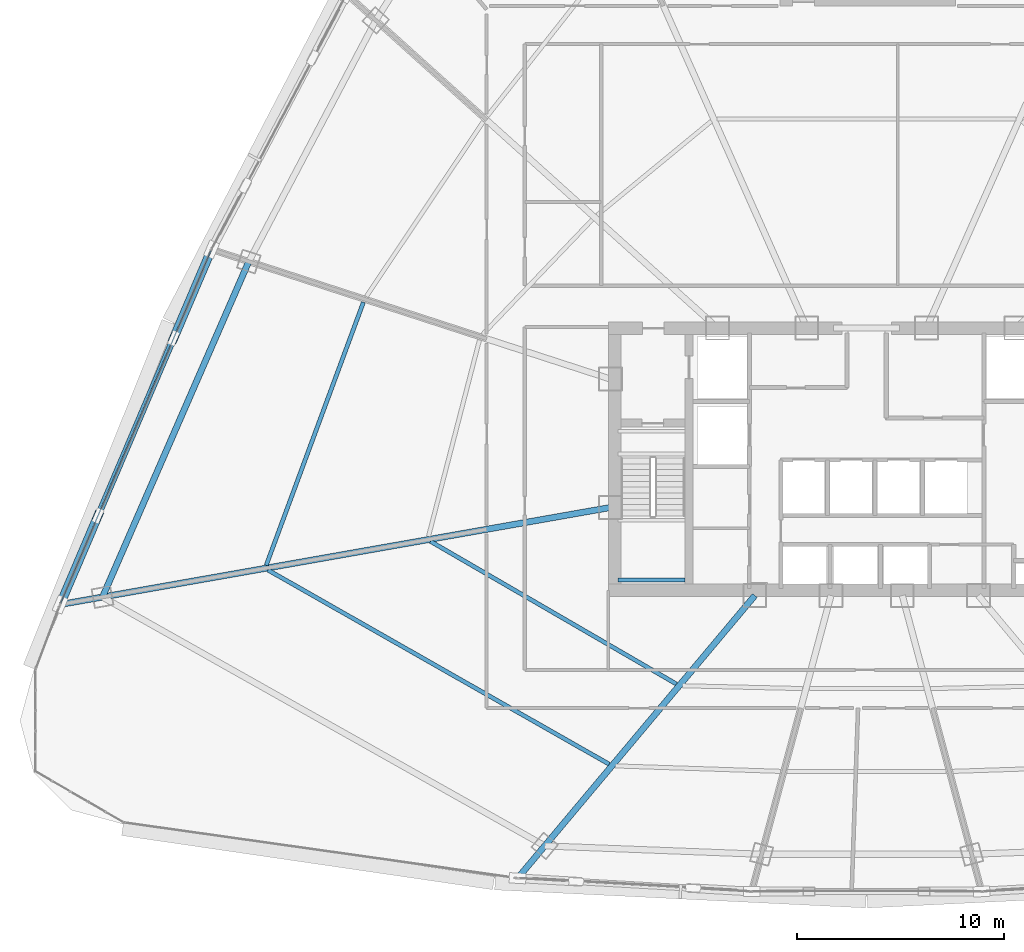
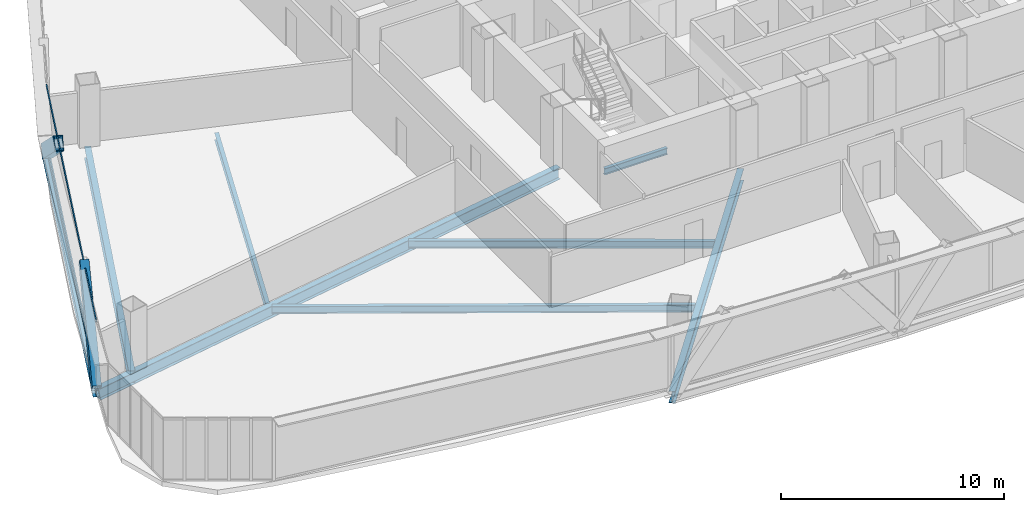
# One storey, part 7 of 42: 8 beams, 4 members, 1 element without a shape of its own.
"""IFC4 building model written with IfcOpenShell, lengths in metres."""

import ifcopenshell
import ifcopenshell.guid

model = None  # the IFC model being written
_history = None  # IfcOwnerHistory: only IFC2X3 demands one
_inside = {}  # id of a spatial element -> (the spatial element, [elements in it])
_under = {}  # id of a project, library or spatial element -> (it, [spatial elements below it])
_declared = {}  # id of a project -> (the project, [libraries it declares])
_typed = {}  # id of a type object -> (the type object, [elements of that type])
_made_of = {}  # id of a material, layer set ... -> (it, [elements and type objects made of it])


def new_model(schema):
    """Start an empty IFC model of exactly this schema.

    Asked for "IFC4X3", IfcOpenShell would pick the latest addendum, in which some entities
    have other attributes; the version numbers below select the first issue.
    IFC2X3 requires an IfcOwnerHistory on every rooted entity: one is made here for all.
    """
    global model, _history
    if schema == "IFC4X3":
        model = ifcopenshell.file(schema_version=(4, 3, 0, 0))
    else:
        model = ifcopenshell.file(schema=schema)
    _inside.clear()
    _under.clear()
    _declared.clear()
    _typed.clear()
    _made_of.clear()
    _history = None
    if model.schema == "IFC2X3":
        org = make("IfcOrganization", Name="unknown")
        user = make(
            "IfcPersonAndOrganization",
            ThePerson=make("IfcPerson", FamilyName="unknown"),
            TheOrganization=org,
        )
        app = make(
            "IfcApplication",
            ApplicationDeveloper=org,
            Version="unknown",
            ApplicationFullName="unknown",
            ApplicationIdentifier="unknown",
        )
        _history = make(
            "IfcOwnerHistory",
            OwningUser=user,
            OwningApplication=app,
            ChangeAction="ADDED",
            CreationDate=0,
        )
    return model


def make(cls, **values):
    """One entity of the class cls with the attributes given. An attribute that is None is left unset."""
    return model.create_entity(
        cls, **{name: value for name, value in values.items() if value is not None}
    )


def rooted(cls, **values):
    """An entity with a GlobalId (a new one), such as an element, a storey or a relation."""
    return make(cls, GlobalId=ifcopenshell.guid.new(), OwnerHistory=_history, **values)


def si_unit(unit_type, name, prefix=None):
    """IfcSIUnit, for example si_unit("LENGTHUNIT", "METRE", prefix="MILLI")."""
    return make("IfcSIUnit", UnitType=unit_type, Prefix=prefix, Name=name)


def assignment(units):
    """IfcUnitAssignment: the units of a project."""
    return None if units is None else make("IfcUnitAssignment", Units=units)


def point(xyz):
    """IfcCartesianPoint."""
    return None if xyz is None else make("IfcCartesianPoint", Coordinates=xyz)


def direction(xyz):
    """IfcDirection."""
    return None if xyz is None else make("IfcDirection", DirectionRatios=xyz)


def frame(location, z_axis=None, x_axis=None):
    """IfcAxis2Placement3D, a coordinate frame: its origin and axes. An axis left out is left unset."""
    return make(
        "IfcAxis2Placement3D",
        Location=point(location),
        Axis=direction(z_axis),
        RefDirection=direction(x_axis),
    )


def frame_2d(location, x_axis=None):
    """IfcAxis2Placement2D, a coordinate frame in the plane: its origin and x axis."""
    return make(
        "IfcAxis2Placement2D", Location=point(location), RefDirection=direction(x_axis)
    )


def origin():
    """The frame at (0, 0, 0) with its axes left unset."""
    return frame((0.0, 0.0, 0.0))


def origin_2d():
    """The frame at (0, 0) in the plane with its x axis left unset."""
    return frame_2d((0.0, 0.0))


def place(relative_to, where):
    """IfcLocalPlacement: puts the frame where relative to a parent placement (None: the world)."""
    return make(
        "IfcLocalPlacement", PlacementRelTo=relative_to, RelativePlacement=where
    )


def context(
    kind, dimensions, precision=None, world=None, true_north=None, identifier=None
):
    """IfcGeometricRepresentationContext, for example the 3D "Model" context."""
    return make(
        "IfcGeometricRepresentationContext",
        ContextIdentifier=identifier,
        ContextType=kind,
        CoordinateSpaceDimension=dimensions,
        Precision=precision,
        WorldCoordinateSystem=world,
        TrueNorth=true_north,
    )


def subcontext(parent, identifier, kind, view, scale=None):
    """IfcGeometricRepresentationSubContext, for example "Body" below "Model"."""
    return make(
        "IfcGeometricRepresentationSubContext",
        ContextIdentifier=identifier,
        ContextType=kind,
        ParentContext=parent,
        TargetScale=scale,
        TargetView=view,
    )


def project(units=None, contexts=None):
    """IfcProject with its units and contexts."""
    return rooted(
        "IfcProject",
        Name="project",
        RepresentationContexts=contexts,
        UnitsInContext=assignment(units),
    )


def spatial(cls, under=None, at=None, **own):
    """A site, building, storey or space (cls), placed at a placement, below another one or the project."""
    s = rooted(cls, ObjectPlacement=at, **own)
    if under is not None:
        _under.setdefault(under.id(), (under, []))[1].append(s)
    return s


def profile(cls, at=None, kind="AREA", **sizes):
    """A parametric profile (cls). Its sizes go by their IFC names, for example OverallWidth=200.0."""
    return make(cls, ProfileType=kind, Position=at, **sizes)


def hollow_rectangle(**sizes):
    """IfcRectangleHollowProfileDef."""
    return profile("IfcRectangleHollowProfileDef", **sizes)


def i_section(**sizes):
    """IfcIShapeProfileDef."""
    return profile("IfcIShapeProfileDef", **sizes)


def extrude(swept, where, along, depth):
    """IfcExtrudedAreaSolid: the profile swept, set in the frame where, extruded along a direction by depth."""
    return make(
        "IfcExtrudedAreaSolid",
        SweptArea=swept,
        Position=where,
        ExtrudedDirection=direction(along),
        Depth=depth,
    )


def shape(context_of_items, identifier, shape_type, items):
    """IfcShapeRepresentation: the items that make up one representation, for example the "Body"."""
    return make(
        "IfcShapeRepresentation",
        ContextOfItems=context_of_items,
        RepresentationIdentifier=identifier,
        RepresentationType=shape_type,
        Items=items,
    )


def source(mapping_origin, context_of_items, identifier, shape_type, items):
    """IfcRepresentationMap: a shape defined once, which mapped items show again and again."""
    return make(
        "IfcRepresentationMap",
        MappingOrigin=mapping_origin,
        MappedRepresentation=shape(context_of_items, identifier, shape_type, items),
    )


def transform(
    local_origin,
    x_axis=None,
    y_axis=None,
    z_axis=None,
    scale=None,
    scale2=None,
    scale3=None,
    uniform=True,
):
    """IfcCartesianTransformationOperator3D, or its non-uniform kind. x_axis, y_axis, z_axis: its Axis1, 2, 3."""
    if uniform:
        return make(
            "IfcCartesianTransformationOperator3D",
            Axis1=direction(x_axis),
            Axis2=direction(y_axis),
            LocalOrigin=point(local_origin),
            Scale=scale,
            Axis3=direction(z_axis),
        )
    return make(
        "IfcCartesianTransformationOperator3DnonUniform",
        Axis1=direction(x_axis),
        Axis2=direction(y_axis),
        LocalOrigin=point(local_origin),
        Scale=scale,
        Axis3=direction(z_axis),
        Scale2=scale2,
        Scale3=scale3,
    )


def mapped(mapping_source, mapping_target):
    """IfcMappedItem: shows the shape of a source again, moved by a transform."""
    return make(
        "IfcMappedItem", MappingSource=mapping_source, MappingTarget=mapping_target
    )


def material(Name=None, Category=None):
    """IfcMaterial."""
    return make("IfcMaterial", Name=Name, Category=Category)


def layer(
    of_material, thickness, ventilated=None, Name=None, Category=None, Priority=None
):
    """IfcMaterialLayer: one layer of a wall or slab, of a material (None: an air gap)."""
    return make(
        "IfcMaterialLayer",
        Material=of_material,
        LayerThickness=thickness,
        IsVentilated=ventilated,
        Name=Name,
        Category=Category,
        Priority=Priority,
    )


def layer_set(layers, Name=None):
    """IfcMaterialLayerSet."""
    return make("IfcMaterialLayerSet", MaterialLayers=layers, LayerSetName=Name)


def material_profile(
    of_material, cross_section, Name=None, Category=None, Priority=None
):
    """IfcMaterialProfile: a cross section and its material."""
    return make(
        "IfcMaterialProfile",
        Name=Name,
        Material=of_material,
        Profile=cross_section,
        Priority=Priority,
        Category=Category,
    )


def profile_set(profiles, Name=None, composite=None):
    """IfcMaterialProfileSet."""
    return make(
        "IfcMaterialProfileSet",
        Name=Name,
        MaterialProfiles=profiles,
        CompositeProfile=composite,
    )


def made_of(thing, what):
    """Note that an element or type object is made of a material, layer set ...; save() writes the relation."""
    if what is not None:
        _made_of.setdefault(what.id(), (what, []))[1].append(thing)
    return thing


def type_object(cls, material=None, **own):
    """A type object (cls), such as IfcWallType, which elements share."""
    return made_of(rooted(cls, **own), material)


def element(
    cls,
    number,
    at=None,
    inside=None,
    cuts=None,
    type_object=None,
    material=None,
    context=None,
    identifier="Body",
    shape_type=None,
    held_by="IfcProductDefinitionShape",
    body=None,
    shapes=None,
    **own,
):
    """One element of the class cls, such as IfcWall. Its Tag is "e" and its number.

    at: its placement. inside: the storey or other place that contains it. cuts: it is an
    opening in that element (IfcRelVoidsElement). A single representation is given by context,
    identifier, shape_type and body (its items); several are given by shapes. held_by: the class
    of the entity that holds the representations. save() writes the other relations.
    """
    e = rooted(cls, Tag="e%d" % number, ObjectPlacement=at, **own)
    if body is not None:
        shapes = [shape(context, identifier, shape_type, body)]
    if shapes is not None:
        e.Representation = make(held_by, Representations=shapes)
    if inside is not None:
        _inside.setdefault(inside.id(), (inside, []))[1].append(e)
    if cuts is not None:
        rooted(
            "IfcRelVoidsElement", RelatingBuildingElement=cuts, RelatedOpeningElement=e
        )
    if type_object is not None:
        _typed.setdefault(type_object.id(), (type_object, []))[1].append(e)
    return made_of(e, material)


def aggregate(whole, parts):
    """IfcRelAggregates: a whole, such as a stair, and the parts it consists of."""
    return rooted("IfcRelAggregates", RelatingObject=whole, RelatedObjects=parts)


def save(model, path):
    """Write the relations noted so far, then the file.

    IfcRelAggregates (storeys below a building ...), IfcRelContainedInSpatialStructure (elements
    in a storey), IfcRelDefinesByType, IfcRelAssociatesMaterial and IfcRelDeclares: one each for
    every whole, place, type object, material and project.
    """
    for whole, parts in _under.values():
        aggregate(whole, parts)
    for where, things in _inside.values():
        rooted(
            "IfcRelContainedInSpatialStructure",
            RelatedElements=things,
            RelatingStructure=where,
        )
    for kind, things in _typed.values():
        rooted("IfcRelDefinesByType", RelatedObjects=things, RelatingType=kind)
    for what, things in _made_of.values():
        rooted("IfcRelAssociatesMaterial", RelatedObjects=things, RelatingMaterial=what)
    for by, libraries in _declared.values():
        rooted("IfcRelDeclares", RelatingContext=by, RelatedDefinitions=libraries)
    model.write(path)


model = new_model("IFC4")

# Units and contexts
model_context = context("Model", 3, precision=1e-05, world=origin(), true_north=direction((0.0, 1.0)))
body_context = subcontext(model_context, "Body", "Model", "MODEL_VIEW")
ifc_project = project(units=[si_unit("LENGTHUNIT", "METRE"), si_unit("AREAUNIT", "SQUARE_METRE"), si_unit("VOLUMEUNIT", "CUBIC_METRE"), si_unit("PLANEANGLEUNIT", "RADIAN"), si_unit("MASSUNIT", "GRAM", prefix="KILO"), si_unit("THERMODYNAMICTEMPERATUREUNIT", "KELVIN"), si_unit("POWERUNIT", "WATT")], contexts=[model_context])

# Site, building, storey
site_placement = place(None, origin())
site = spatial("IfcSite", under=ifc_project, at=site_placement, CompositionType="ELEMENT")
building_placement = place(site_placement, origin())
building = spatial("IfcBuilding", under=site, at=building_placement, Name="Yunzhuo Pagoda Commons", CompositionType="ELEMENT")
storey_placement = place(building_placement, frame((0.0, 0.0, 129.830078125)))
storey = spatial("IfcBuildingStorey", under=building, at=storey_placement, Name="L32", CompositionType="ELEMENT", Elevation=129.830078125)

# Beams
ifc_material_1 = material(Name="Structural steel Q355B", Category="steel")
ifc_material_profile_1 = material_profile(ifc_material_1, i_section(OverallWidth=0.175048828125, OverallDepth=0.35009765625, WebThickness=0.007080078125, FlangeThickness=0.010986328125, at=origin_2d()), Name="Structural steel Q355B")
ifc_profile_set_1 = profile_set([ifc_material_profile_1], Name="Structural steel Q355B")
beam_type_1 = type_object("IfcBeamType", Name="B-JS2 Joist HN 350x175x7x11", PredefinedType="JOIST", material=ifc_profile_set_1)
shared_shape_1 = source(origin(), body_context, "Body", "SweptSolid", [
    extrude(i_section(OverallWidth=0.175048828125, OverallDepth=0.35009765625, WebThickness=0.007080078125, FlangeThickness=0.010986328125, at=origin_2d()), origin(), (0.0, 0.0, 1.0), 3.25),
])
beam_1_placement = place(storey_placement, frame((35.949951171875, 28.0, 1.46484375), z_axis=(1.0, 0.0, 0.0), x_axis=(0.0, 1.0, 0.0)))
element("IfcBeam", 1, at=beam_1_placement, inside=storey, type_object=beam_type_1, Name="L32 ST1 landing support beam 38A", PredefinedType="JOIST", context=body_context, shape_type="MappedRepresentation", body=[
    mapped(shared_shape_1, transform((0.0, 0.0, 0.0), scale=1.0)),
])
ifc_material_profile_2 = material_profile(ifc_material_1, i_section(OverallWidth=0.300048828125, OverallDepth=0.488037109375, WebThickness=0.010986328125, FlangeThickness=0.01806640625, at=origin_2d()), Name="Structural steel Q355B")
ifc_profile_set_2 = profile_set([ifc_material_profile_2], Name="Structural steel Q355B")
beam_type_2 = type_object("IfcBeamType", Name="B-SP1 Beam HM 488x300x11x18", PredefinedType="BEAM", material=ifc_profile_set_2)
shared_shape_2 = source(origin(), body_context, "Body", "SweptSolid", [
    extrude(i_section(OverallWidth=0.300048828125, OverallDepth=0.488037109375, WebThickness=0.010986328125, FlangeThickness=0.01806640625, at=origin_2d()), origin(), (0.0, 0.0, 1.0), 18.688232421875),
])
beam_2_placement = place(storey_placement, frame((16.279541015625, 44.006591796875, -0.504150390625), z_axis=(-0.392084847938, -0.919929058144, 0.0), x_axis=(0.919929058144, -0.392084847938, 0.0)))
element("IfcBeam", 2, at=beam_2_placement, inside=storey, type_object=beam_type_2, Name="L32 facade edge spandrel beam F3.3", PredefinedType="BEAM", context=body_context, shape_type="MappedRepresentation", body=[
    mapped(shared_shape_2, transform((0.0, 0.0, 0.0), scale=1.0)),
])
ifc_material_profile_3 = material_profile(ifc_material_1, i_section(OverallWidth=0.300048828125, OverallDepth=0.64990234375, WebThickness=0.012939453125, FlangeThickness=0.02197265625, at=origin_2d()), Name="Structural steel Q355B")
ifc_profile_set_3 = profile_set([ifc_material_profile_3], Name="Structural steel Q355B")
beam_type_3 = type_object("IfcBeamType", Name="B-RG2 Beam HN 650x300x13x22", PredefinedType="BEAM", material=ifc_profile_set_3)
shared_shape_3 = source(origin(), body_context, "Body", "SweptSolid", [
    extrude(i_section(OverallWidth=0.300048828125, OverallDepth=0.64990234375, WebThickness=0.012939453125, FlangeThickness=0.02197265625, at=origin_2d()), origin(), (0.0, 0.0, 1.0), 17.714111328125),
])
beam_3_placement = place(storey_placement, frame((31.201416015625, 13.68017578125, -0.5849609375), z_axis=(0.6427889385, 0.76604332811, 0.0), x_axis=(-0.76604332811, 0.6427889385, 0.0)))
element("IfcBeam", 3, at=beam_3_placement, inside=storey, type_object=beam_type_3, Name="L32 radial floor girder F1C1", PredefinedType="BEAM", context=body_context, shape_type="MappedRepresentation", body=[
    mapped(shared_shape_3, transform((0.0, 0.0, 0.0), scale=1.0)),
])
shared_shape_4 = source(origin(), body_context, "Body", "SweptSolid", [
    extrude(i_section(OverallWidth=0.300048828125, OverallDepth=0.64990234375, WebThickness=0.012939453125, FlangeThickness=0.02197265625, at=origin_2d()), origin(), (0.0, 0.0, 1.0), 26.904052734375),
])
beam_4_placement = place(storey_placement, frame((9.104736328125, 26.841796875, -0.5849609375), z_axis=(0.984809127253, 0.173640383782, 0.0), x_axis=(-0.173640383782, 0.984809127253, 0.0)))
element("IfcBeam", 4, at=beam_4_placement, inside=storey, type_object=beam_type_3, Name="L32 radial floor girder F3C4", PredefinedType="BEAM", context=body_context, shape_type="MappedRepresentation", body=[
    mapped(shared_shape_4, transform((0.0, 0.0, 0.0), scale=1.0)),
])
ifc_material_profile_4 = material_profile(ifc_material_1, i_section(OverallWidth=0.199951171875, OverallDepth=0.39990234375, WebThickness=0.008056640625, FlangeThickness=0.012939453125, at=origin_2d()), Name="Structural steel Q355B")
ifc_profile_set_4 = profile_set([ifc_material_profile_4], Name="Structural steel Q355B")
beam_type_4 = type_object("IfcBeamType", Name="B-JS1 Joist HN 400x200x8x13", PredefinedType="JOIST", material=ifc_profile_set_4)
shared_shape_5 = source(origin(), body_context, "Body", "SweptSolid", [
    extrude(i_section(OverallWidth=0.199951171875, OverallDepth=0.39990234375, WebThickness=0.008056640625, FlangeThickness=0.012939453125, at=origin_2d()), origin(), (0.0, 0.0, 1.0), 13.76416015625),
])
beam_5_placement = place(storey_placement, frame((26.882568359375, 29.87255859375, -0.4599609375), z_axis=(0.864967288101, -0.501828248025, 0.0), x_axis=(0.501828248025, 0.864967288101, 0.0)))
element("IfcBeam", 5, at=beam_5_placement, inside=storey, type_object=beam_type_4, Name="L32 composite ring joist 1.12", PredefinedType="JOIST", context=body_context, shape_type="MappedRepresentation", body=[
    mapped(shared_shape_5, transform((0.0, 0.0, 0.0), scale=1.0)),
])
shared_shape_6 = source(origin(), body_context, "Body", "SweptSolid", [
    extrude(i_section(OverallWidth=0.199951171875, OverallDepth=0.39990234375, WebThickness=0.008056640625, FlangeThickness=0.012939453125, at=origin_2d()), origin(), (0.0, 0.0, 1.0), 19.007568359375),
])
beam_6_placement = place(storey_placement, frame((19.01220703125, 28.485595703125, -0.4599609375), z_axis=(0.869119947472, -0.494601371718, 0.0), x_axis=(0.494601371718, 0.869119947472, 0.0)))
element("IfcBeam", 6, at=beam_6_placement, inside=storey, type_object=beam_type_4, Name="L32 composite ring joist 2.12", PredefinedType="JOIST", context=body_context, shape_type="MappedRepresentation", body=[
    mapped(shared_shape_6, transform((0.0, 0.0, 0.0), scale=1.0)),
])
shared_shape_7 = source(origin(), body_context, "Body", "SweptSolid", [
    extrude(i_section(OverallWidth=0.300048828125, OverallDepth=0.64990234375, WebThickness=0.012939453125, FlangeThickness=0.02197265625, at=origin_2d()), origin(), (0.0, 0.0, 1.0), 17.72021484375),
])
beam_7_placement = place(storey_placement, frame((18.084716796875, 43.420166015625, -0.5849609375), z_axis=(-0.399643307961, -0.916670729544, 0.0), x_axis=(0.916670729544, -0.399643307961, 0.0)))
element("IfcBeam", 7, at=beam_7_placement, inside=storey, type_object=beam_type_3, Name="L32 column-ring beam 11", PredefinedType="BEAM", context=body_context, shape_type="MappedRepresentation", body=[
    mapped(shared_shape_7, transform((0.0, 0.0, 0.0), scale=1.0)),
])
shared_shape_8 = source(origin(), body_context, "Body", "SweptSolid", [
    extrude(i_section(OverallWidth=0.199951171875, OverallDepth=0.39990234375, WebThickness=0.008056640625, FlangeThickness=0.012939453125, at=origin_2d()), origin(), (0.0, 0.0, 1.0), 13.577880859375),
])
beam_8_placement = place(storey_placement, frame((23.634765625, 41.44970703125, -0.4599609375), z_axis=(-0.3465634723, -0.938026523968, 0.0), x_axis=(0.938026523968, -0.3465634723, 0.0)))
element("IfcBeam", 8, at=beam_8_placement, inside=storey, type_object=beam_type_4, Name="L32 composite ring joist 2.11", PredefinedType="JOIST", context=body_context, shape_type="MappedRepresentation", body=[
    mapped(shared_shape_8, transform((0.0, 0.0, 0.0), scale=1.0)),
])

# Members
ifc_material_2 = material(Name="Structural steel Q420B", Category="steel")
ifc_material_profile_5 = material_profile(ifc_material_2, hollow_rectangle(XDim=0.419921875, YDim=0.719970703125, WallThickness=0.028076171875, at=origin_2d()), Name="Structural steel Q420B")
ifc_profile_set_5 = profile_set([ifc_material_profile_5], Name="Structural steel Q420B")
member_type_1 = type_object("IfcMemberType", Name="M-DL1 Brace BOX 720x420x28", PredefinedType="BRACE", material=ifc_profile_set_5)
shared_shape_9 = source(origin(), body_context, "Body", "SweptSolid", [
    extrude(hollow_rectangle(XDim=0.419921875, YDim=0.719970703125, WallThickness=0.028076171875, at=origin_2d()), origin(), (0.0, 0.0, 1.0), 5.947509765625),
])
for number, where, z_axis, x_axis, name in (
    (9, (16.279541015625, 44.006591796875, -0.260009765625), (-0.30803773125, -0.722681804193, 0.618743699778), (0.919918938864, -0.392108589448, 0.0), "L32 facade diamond brace F3.3L"),
    (10, (8.9521484375, 26.814697265625, -0.260009765625), (0.30803773125, 0.722681804193, 0.618743699778), (-0.919918938864, 0.392108589448, 0.0), "L32 facade diamond brace F3.3R"),
):
    element("IfcMember", number, at=place(storey_placement, frame(where, z_axis=z_axis, x_axis=x_axis)), inside=storey, type_object=member_type_1, Name=name, PredefinedType="BRACE", context=body_context, shape_type="MappedRepresentation", body=[
        mapped(shared_shape_9, transform((0.0, 0.0, 0.0), scale=1.0)),
    ])

# Curtain wall, members
ifc_material_3 = material(Name="Anodized aluminium 6063-T6", Category="aluminium")
ifc_layer = layer(ifc_material_3, 0.14990234375)
ifc_layer_set = layer_set([ifc_layer], Name="Anodized aluminium 6063-T6")
curtain_wall_type = type_object("IfcCurtainWallType", Name="CW-MID Mid-Zone Ribbon Curtain Wall", PredefinedType="NOTDEFINED", material=ifc_layer_set)
curtain_wall_placement = place(storey_placement, origin())
curtain_wall = element("IfcCurtainWall", 11, at=curtain_wall_placement, inside=storey, type_object=curtain_wall_type, Name="L32 curtain wall CW-L32-F3B4", PredefinedType="NOTDEFINED")
ifc_material_profile_6 = material_profile(ifc_material_3, hollow_rectangle(XDim=0.054931640625, YDim=0.1298828125, WallThickness=0.00341796875, at=origin_2d()), Name="Anodized aluminium 6063-T6")
ifc_profile_set_6 = profile_set([ifc_material_profile_6], Name="Anodized aluminium 6063-T6")
member_type_2 = type_object("IfcMemberType", Name="CW-MID-T Transom RHS 130x55x3.5", PredefinedType="USERDEFINED", material=ifc_profile_set_6)
shared_shape_10 = source(origin(), body_context, "Body", "SweptSolid", [
    extrude(hollow_rectangle(XDim=0.054931640625, YDim=0.1298828125, WallThickness=0.00341796875, at=origin_2d()), origin(), (0.0, 0.0, 1.0), 18.568115234375),
])
member_1_placement = place(storey_placement, frame((16.255859375, 43.951416015625, 0.02734375), z_axis=(-0.392085671986, -0.919928706924, 0.0), x_axis=(0.919928706924, -0.392085671986, 0.0)))
member_1 = element("IfcMember", 12, at=member_1_placement, type_object=member_type_2, Name="CW transom 1.1", ObjectType="TRANSOM", PredefinedType="USERDEFINED", context=body_context, shape_type="MappedRepresentation", body=[
    mapped(shared_shape_10, transform((0.0, 0.0, 0.0), scale=1.0)),
])
member_2_placement = place(storey_placement, frame((16.255859375, 43.951416015625, 3.392333984375), z_axis=(-0.392085671986, -0.919928706924, 0.0), x_axis=(0.919928706924, -0.392085671986, 0.0)))
member_2 = element("IfcMember", 13, at=member_2_placement, type_object=member_type_2, Name="CW transom 1.2", ObjectType="TRANSOM", PredefinedType="USERDEFINED", context=body_context, shape_type="MappedRepresentation", body=[
    mapped(shared_shape_10, transform((0.0, 0.0, 0.0), scale=1.0)),
])
aggregate(curtain_wall, [member_1, member_2])

save(model, "model.ifc")
